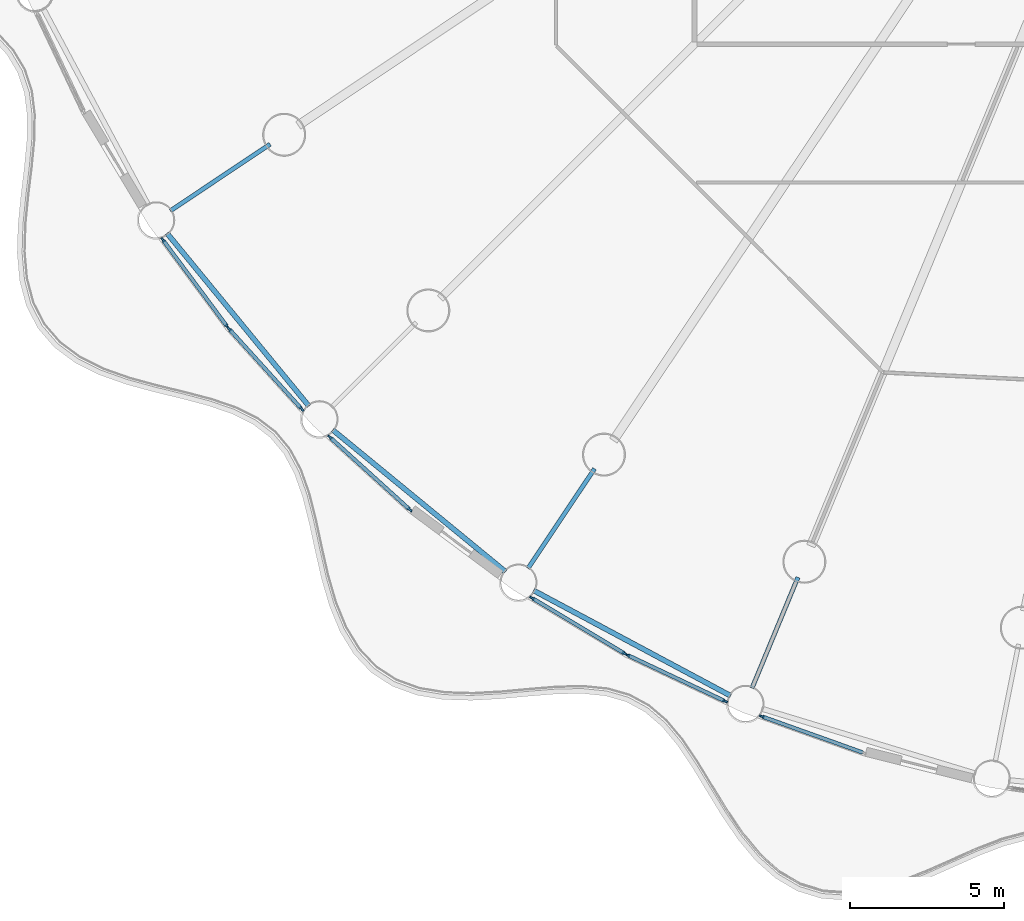
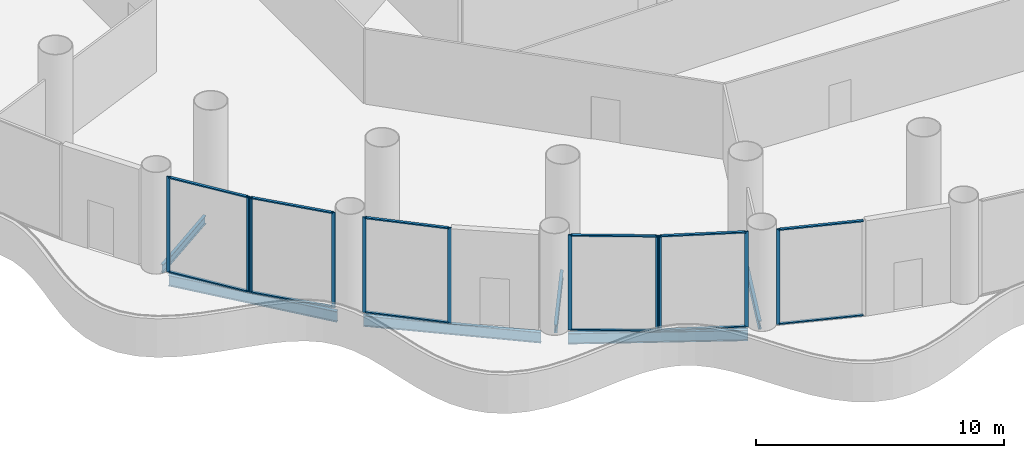
# One storey, part 2 of 35: 23 members, 6 beams, 6 elements without a shape of their own.
"""IFC4 building model written with IfcOpenShell, lengths in metres."""

from ifc_helpers import new_model, si_unit, direction, frame, origin, origin_2d, place, context, subcontext, project, spatial, rectangle, i_section, extrude, material, material_profile, profile_set, type_object, element, aggregate, save


model = new_model("IFC4")

# Units and contexts
model_context = context("Model", 3, precision=1e-05, world=origin(), true_north=direction((0.0, 1.0)))
body_context = subcontext(model_context, "Body", "Model", "MODEL_VIEW")
ifc_project = project(units=[si_unit("LENGTHUNIT", "METRE"), si_unit("AREAUNIT", "SQUARE_METRE"), si_unit("VOLUMEUNIT", "CUBIC_METRE"), si_unit("PLANEANGLEUNIT", "RADIAN"), si_unit("MASSUNIT", "GRAM", prefix="KILO")], contexts=[model_context])

# Site, building, storey
site_placement = place(None, origin())
site = spatial("IfcSite", under=ifc_project, at=site_placement, CompositionType="ELEMENT")
building_placement = place(site_placement, origin())
building = spatial("IfcBuilding", under=site, at=building_placement, Name="Corvane Civic Tower", CompositionType="ELEMENT")
storey_placement = place(building_placement, frame((0.0, 0.0, 27.0)))
storey = spatial("IfcBuildingStorey", under=building, at=storey_placement, Name="L05", CompositionType="ELEMENT", Elevation=27.0)

# Beams
ifc_material_1 = material(Name="Steel ASTM A992 Gr 50", Category="steel")
ifc_material_profile_1 = material_profile(ifc_material_1, i_section(OverallWidth=0.165771484375, OverallDepth=0.5283203125, WebThickness=0.009765625, FlangeThickness=0.013671875, at=origin_2d()), Name="W21X50")
ifc_profile_set_1 = profile_set([ifc_material_profile_1], Name="Steel ASTM A992 Gr 50")
beam_type_1 = type_object("IfcBeamType", Name="EDGE BEAM W21X50", PredefinedType="BEAM", material=ifc_profile_set_1)
for number, where, z_axis, x_axis, name in (
    (1, (-16.82568359375, -39.1904296875, -0.564208984375), (-0.881912894916, 0.471412394598, 0.0), (-0.471412394598, -0.881912894916, 0.0), "BM-L05-E19"),
    (2, (-24.14794921875, -35.15478515625, -0.564208984375), (-0.773007924807, 0.634396365205, 0.0), (-0.634396365205, -0.773007924807, 0.0), "BM-L05-E20"),
    (3, (-30.542236328125, -29.768310546875, -0.564208984375), (-0.634396365205, 0.773007924807, 0.0), (-0.773007924807, -0.634396365205, 0.0), "BM-L05-E21"),
):
    element("IfcBeam", number, at=place(storey_placement, frame(where, z_axis=z_axis, x_axis=x_axis)), inside=storey, type_object=beam_type_1, Name=name, PredefinedType="BEAM", context=body_context, shape_type="SweptSolid", body=[
        extrude(i_section(OverallWidth=0.165771484375, OverallDepth=0.5283203125, WebThickness=0.009765625, FlangeThickness=0.013671875, at=origin_2d()), origin(), (0.0, 0.0, 1.0), 7.270751953125),
    ])
ifc_material_2 = material(Name="Steel ASTM A992 Gr 50", Category="steel")
ifc_material_profile_2 = material_profile(ifc_material_2, i_section(OverallWidth=0.140380859375, OverallDepth=0.40380859375, WebThickness=0.007080078125, FlangeThickness=0.01123046875, at=origin_2d()), Name="W16X31")
ifc_profile_set_2 = profile_set([ifc_material_profile_2], Name="Steel ASTM A992 Gr 50")
beam_type_2 = type_object("IfcBeamType", Name="FLOOR GIRDER W16X31", PredefinedType="BEAM", material=ifc_profile_set_2)
for number, where, z_axis, x_axis, name in (
    (4, (-14.6376953125, -35.33837890625, -0.501953125), (-0.382685369162, -0.923878730261, 0.0), (0.923878730261, -0.382685369162, 0.0), "BM-L05-G19b"),
    (5, (-21.25048828125, -31.8037109375, -0.501953125), (-0.555581110199, -0.831462344301, 0.0), (0.831462344301, -0.555581110199, 0.0), "BM-L05-G20b"),
    (6, (-31.8037109375, -21.25048828125, -0.501953125), (-0.831462344301, -0.555581110199, 0.0), (0.555581110199, -0.831462344301, 0.0), "BM-L05-G22b"),
):
    element("IfcBeam", number, at=place(storey_placement, frame(where, z_axis=z_axis, x_axis=x_axis)), inside=storey, type_object=beam_type_2, Name=name, PredefinedType="BEAM", context=body_context, shape_type="SweptSolid", body=[
        extrude(i_section(OverallWidth=0.140380859375, OverallDepth=0.40380859375, WebThickness=0.007080078125, FlangeThickness=0.01123046875, at=origin_2d()), origin(), (0.0, 0.0, 1.0), 3.89990234375),
    ])

# Curtain wall, member
ifc_material_3 = material(Name="Aluminium and glass", Category="aluminium")
curtain_wall_type = type_object("IfcCurtainWallType", Name="PODIUM-CW-P-RUN", PredefinedType="NOTDEFINED", material=ifc_material_3)
curtain_wall_1_placement = place(storey_placement, origin())
curtain_wall_1 = element("IfcCurtainWall", 7, at=curtain_wall_1_placement, inside=storey, type_object=curtain_wall_type, Name="PODI run L05-drum-18B", PredefinedType="NOTDEFINED")
ifc_material_4 = material(Name="Anodised aluminium bronze", Category="aluminium")
ifc_material_profile_3 = material_profile(ifc_material_4, rectangle(XDim=0.06005859375, YDim=0.159912109375, at=origin_2d()), Name="AL 60x160")
ifc_profile_set_3 = profile_set([ifc_material_profile_3], Name="Anodised aluminium bronze")
member_type_1 = type_object("IfcMemberType", Name="PODIUM-CWP-MULLION-60x160", PredefinedType="MULLION", material=ifc_profile_set_3)
member_1_placement = place(storey_placement, frame((-15.81298828125, -39.861083984375, 0.0), z_axis=(0.0, 0.0, 1.0), x_axis=(-0.336918534123, -0.941533802561, 0.0)))
member_1 = element("IfcMember", 8, at=member_1_placement, type_object=member_type_1, Name="CW-P mullion 2", PredefinedType="MULLION", context=body_context, shape_type="SweptSolid", body=[
    extrude(rectangle(XDim=0.06005859375, YDim=0.159912109375, at=origin_2d()), origin(), (0.0, 0.0, 1.0), 4.699951171875),
])

# Curtain wall, members
curtain_wall_2_placement = place(storey_placement, origin())
curtain_wall_2 = element("IfcCurtainWall", 9, at=curtain_wall_2_placement, inside=storey, type_object=curtain_wall_type, Name="PODI run L05-drum-19A", PredefinedType="NOTDEFINED")
member_2_placement = place(storey_placement, frame((-17.00439453125, -39.36767578125, 0.0), z_axis=(0.0, 0.0, 1.0), x_axis=(-0.42755312852, -0.903990222454, 0.0)))
member_2 = element("IfcMember", 10, at=member_2_placement, type_object=member_type_1, Name="CW-P mullion 1", PredefinedType="MULLION", context=body_context, shape_type="SweptSolid", body=[
    extrude(rectangle(XDim=0.06005859375, YDim=0.159912109375, at=origin_2d()), origin(), (0.0, 0.0, 1.0), 4.699951171875),
])
member_3_placement = place(storey_placement, frame((-20.186279296875, -37.862548828125, 0.0), z_axis=(0.0, 0.0, 1.0), x_axis=(-0.42755312852, -0.903990222454, 0.0)))
member_3 = element("IfcMember", 11, at=member_3_placement, type_object=member_type_1, Name="CW-P mullion 2", PredefinedType="MULLION", context=body_context, shape_type="SweptSolid", body=[
    extrude(rectangle(XDim=0.06005859375, YDim=0.159912109375, at=origin_2d()), origin(), (0.0, 0.0, 1.0), 4.699951171875),
])

curtain_wall_3_placement = place(storey_placement, origin())
curtain_wall_3 = element("IfcCurtainWall", 12, at=curtain_wall_3_placement, inside=storey, type_object=curtain_wall_type, Name="PODI run L05-drum-19B", PredefinedType="NOTDEFINED")
member_4_placement = place(storey_placement, frame((-20.2666015625, -37.819580078125, 0.0), z_axis=(0.0, 0.0, 1.0), x_axis=(-0.514117759857, -0.857719609779, 0.0)))
member_4 = element("IfcMember", 13, at=member_4_placement, type_object=member_type_1, Name="CW-P mullion 1", PredefinedType="MULLION", context=body_context, shape_type="SweptSolid", body=[
    extrude(rectangle(XDim=0.06005859375, YDim=0.159912109375, at=origin_2d()), origin(), (0.0, 0.0, 1.0), 4.699951171875),
])
member_5_placement = place(storey_placement, frame((-23.28564453125, -36.010009765625, 0.0), z_axis=(0.0, 0.0, 1.0), x_axis=(-0.514117759857, -0.857719609779, 0.0)))
member_5 = element("IfcMember", 14, at=member_5_placement, type_object=member_type_1, Name="CW-P mullion 2", PredefinedType="MULLION", context=body_context, shape_type="SweptSolid", body=[
    extrude(rectangle(XDim=0.06005859375, YDim=0.159912109375, at=origin_2d()), origin(), (0.0, 0.0, 1.0), 4.699951171875),
])

curtain_wall_4_placement = place(storey_placement, origin())
curtain_wall_4 = element("IfcCurtainWall", 15, at=curtain_wall_4_placement, inside=storey, type_object=curtain_wall_type, Name="PODI run L05-drum-20B", PredefinedType="NOTDEFINED")
member_6_placement = place(storey_placement, frame((-27.25537109375, -33.13916015625, 0.0), z_axis=(0.0, 0.0, 1.0), x_axis=(-0.671576457952, -0.740935261089, 0.0)))
member_6 = element("IfcMember", 16, at=member_6_placement, type_object=member_type_1, Name="CW-P mullion 1", PredefinedType="MULLION", context=body_context, shape_type="SweptSolid", body=[
    extrude(rectangle(XDim=0.06005859375, YDim=0.159912109375, at=origin_2d()), origin(), (0.0, 0.0, 1.0), 4.699951171875),
])
member_7_placement = place(storey_placement, frame((-29.863525390625, -30.775390625, 0.0), z_axis=(0.0, 0.0, 1.0), x_axis=(-0.671576457952, -0.740935261089, 0.0)))
member_7 = element("IfcMember", 17, at=member_7_placement, type_object=member_type_1, Name="CW-P mullion 2", PredefinedType="MULLION", context=body_context, shape_type="SweptSolid", body=[
    extrude(rectangle(XDim=0.06005859375, YDim=0.159912109375, at=origin_2d()), origin(), (0.0, 0.0, 1.0), 4.699951171875),
])

curtain_wall_5_placement = place(storey_placement, origin())
curtain_wall_5 = element("IfcCurtainWall", 18, at=curtain_wall_5_placement, inside=storey, type_object=curtain_wall_type, Name="PODI run L05-drum-21A", PredefinedType="NOTDEFINED")
member_8_placement = place(storey_placement, frame((-30.775390625, -29.863525390625, 0.0), z_axis=(0.0, 0.0, 1.0), x_axis=(-0.740935261089, -0.671576457952, 0.0)))
member_8 = element("IfcMember", 19, at=member_8_placement, type_object=member_type_1, Name="CW-P mullion 1", PredefinedType="MULLION", context=body_context, shape_type="SweptSolid", body=[
    extrude(rectangle(XDim=0.06005859375, YDim=0.159912109375, at=origin_2d()), origin(), (0.0, 0.0, 1.0), 4.699951171875),
])
member_9_placement = place(storey_placement, frame((-33.13916015625, -27.25537109375, 0.0), z_axis=(0.0, 0.0, 1.0), x_axis=(-0.740935261089, -0.671576457952, 0.0)))
member_9 = element("IfcMember", 20, at=member_9_placement, type_object=member_type_1, Name="CW-P mullion 2", PredefinedType="MULLION", context=body_context, shape_type="SweptSolid", body=[
    extrude(rectangle(XDim=0.06005859375, YDim=0.159912109375, at=origin_2d()), origin(), (0.0, 0.0, 1.0), 4.699951171875),
])

curtain_wall_6_placement = place(storey_placement, origin())
curtain_wall_6 = element("IfcCurtainWall", 21, at=curtain_wall_6_placement, inside=storey, type_object=curtain_wall_type, Name="PODI run L05-drum-21B", PredefinedType="NOTDEFINED")
member_10_placement = place(storey_placement, frame((-33.197021484375, -27.18505859375, 0.0), z_axis=(0.0, 0.0, 1.0), x_axis=(-0.803203229747, -0.595705104665, 0.0)))
member_10 = element("IfcMember", 22, at=member_10_placement, type_object=member_type_1, Name="CW-P mullion 1", PredefinedType="MULLION", context=body_context, shape_type="SweptSolid", body=[
    extrude(rectangle(XDim=0.06005859375, YDim=0.159912109375, at=origin_2d()), origin(), (0.0, 0.0, 1.0), 4.699951171875),
])
member_11_placement = place(storey_placement, frame((-35.293701171875, -24.35791015625, 0.0), z_axis=(0.0, 0.0, 1.0), x_axis=(-0.803203229747, -0.595705104665, 0.0)))
member_11 = element("IfcMember", 23, at=member_11_placement, type_object=member_type_1, Name="CW-P mullion 2", PredefinedType="MULLION", context=body_context, shape_type="SweptSolid", body=[
    extrude(rectangle(XDim=0.06005859375, YDim=0.159912109375, at=origin_2d()), origin(), (0.0, 0.0, 1.0), 4.699951171875),
])

# Member
ifc_material_5 = material(Name="Anodised aluminium bronze", Category="aluminium")
ifc_material_profile_4 = material_profile(ifc_material_5, rectangle(XDim=0.1201171875, YDim=0.06005859375, at=origin_2d()), Name="AL 120x60")
ifc_profile_set_4 = profile_set([ifc_material_profile_4], Name="Anodised aluminium bronze")
member_type_2 = type_object("IfcMemberType", Name="PODIUM-CWP-TRANSOM-60x120", PredefinedType="USERDEFINED", material=ifc_profile_set_4)
member_12_placement = place(storey_placement, frame((-12.527099609375, -41.036865234375, 0.030029296875), z_axis=(-0.941526196838, 0.336939787896, 0.0), x_axis=(-0.336939787896, -0.941526196838, 0.0)))
member_12 = element("IfcMember", 24, at=member_12_placement, type_object=member_type_2, Name="CW-P transom 1.1", ObjectType="TRANSOM", PredefinedType="USERDEFINED", context=body_context, shape_type="SweptSolid", body=[
    extrude(rectangle(XDim=0.1201171875, YDim=0.06005859375, at=origin_2d()), origin(), (0.0, 0.0, 1.0), 3.4599609375),
])

member_13_placement = place(storey_placement, frame((-12.527099609375, -41.036865234375, 4.669921875), z_axis=(-0.941526196838, 0.336939787896, 0.0), x_axis=(-0.336939787896, -0.941526196838, 0.0)))
member_13 = element("IfcMember", 25, at=member_13_placement, type_object=member_type_2, Name="CW-P transom 1.2", ObjectType="TRANSOM", PredefinedType="USERDEFINED", context=body_context, shape_type="SweptSolid", body=[
    extrude(rectangle(XDim=0.1201171875, YDim=0.06005859375, at=origin_2d()), origin(), (0.0, 0.0, 1.0), 3.4599609375),
])

aggregate(curtain_wall_1, [member_1, member_12, member_13])

member_14_placement = place(storey_placement, frame((-17.031494140625, -39.354736328125, 0.030029296875), z_axis=(-0.903993431638, 0.427546343166, 0.0), x_axis=(-0.427546343166, -0.903993431638, 0.0)))
member_14 = element("IfcMember", 26, at=member_14_placement, type_object=member_type_2, Name="CW-P transom 1.1", ObjectType="TRANSOM", PredefinedType="USERDEFINED", context=body_context, shape_type="SweptSolid", body=[
    extrude(rectangle(XDim=0.1201171875, YDim=0.06005859375, at=origin_2d()), origin(), (0.0, 0.0, 1.0), 3.4599609375),
])

member_15_placement = place(storey_placement, frame((-17.031494140625, -39.354736328125, 4.669921875), z_axis=(-0.903993431638, 0.427546343166, 0.0), x_axis=(-0.427546343166, -0.903993431638, 0.0)))
member_15 = element("IfcMember", 27, at=member_15_placement, type_object=member_type_2, Name="CW-P transom 1.2", ObjectType="TRANSOM", PredefinedType="USERDEFINED", context=body_context, shape_type="SweptSolid", body=[
    extrude(rectangle(XDim=0.1201171875, YDim=0.06005859375, at=origin_2d()), origin(), (0.0, 0.0, 1.0), 3.4599609375),
])

aggregate(curtain_wall_2, [member_2, member_3, member_14, member_15])

member_16_placement = place(storey_placement, frame((-20.29248046875, -37.80419921875, 0.030029296875), z_axis=(-0.857723234181, 0.514111713099, 0.0), x_axis=(-0.514111713099, -0.857723234181, 0.0)))
member_16 = element("IfcMember", 28, at=member_16_placement, type_object=member_type_2, Name="CW-P transom 1.1", ObjectType="TRANSOM", PredefinedType="USERDEFINED", context=body_context, shape_type="SweptSolid", body=[
    extrude(rectangle(XDim=0.1201171875, YDim=0.06005859375, at=origin_2d()), origin(), (0.0, 0.0, 1.0), 3.45947265625),
])

member_17_placement = place(storey_placement, frame((-20.29248046875, -37.80419921875, 4.669921875), z_axis=(-0.857723234181, 0.514111713099, 0.0), x_axis=(-0.514111713099, -0.857723234181, 0.0)))
member_17 = element("IfcMember", 29, at=member_17_placement, type_object=member_type_2, Name="CW-P transom 1.2", ObjectType="TRANSOM", PredefinedType="USERDEFINED", context=body_context, shape_type="SweptSolid", body=[
    extrude(rectangle(XDim=0.1201171875, YDim=0.06005859375, at=origin_2d()), origin(), (0.0, 0.0, 1.0), 3.45947265625),
])

aggregate(curtain_wall_3, [member_4, member_5, member_16, member_17])

member_18_placement = place(storey_placement, frame((-27.277587890625, -33.119140625, 0.030029296875), z_axis=(-0.740935382865, 0.671576323599, 0.0), x_axis=(-0.671576323599, -0.740935382865, 0.0)))
member_18 = element("IfcMember", 30, at=member_18_placement, type_object=member_type_2, Name="CW-P transom 1.1", ObjectType="TRANSOM", PredefinedType="USERDEFINED", context=body_context, shape_type="SweptSolid", body=[
    extrude(rectangle(XDim=0.1201171875, YDim=0.06005859375, at=origin_2d()), origin(), (0.0, 0.0, 1.0), 3.460205078125),
])

member_19_placement = place(storey_placement, frame((-27.277587890625, -33.119140625, 4.669921875), z_axis=(-0.740935382865, 0.671576323599, 0.0), x_axis=(-0.671576323599, -0.740935382865, 0.0)))
member_19 = element("IfcMember", 31, at=member_19_placement, type_object=member_type_2, Name="CW-P transom 1.2", ObjectType="TRANSOM", PredefinedType="USERDEFINED", context=body_context, shape_type="SweptSolid", body=[
    extrude(rectangle(XDim=0.1201171875, YDim=0.06005859375, at=origin_2d()), origin(), (0.0, 0.0, 1.0), 3.460205078125),
])

aggregate(curtain_wall_4, [member_6, member_7, member_18, member_19])

member_20_placement = place(storey_placement, frame((-30.79541015625, -29.84130859375, 0.030029296875), z_axis=(-0.671576323599, 0.740935382865, 0.0), x_axis=(-0.740935382865, -0.671576323599, 0.0)))
member_20 = element("IfcMember", 32, at=member_20_placement, type_object=member_type_2, Name="CW-P transom 1.1", ObjectType="TRANSOM", PredefinedType="USERDEFINED", context=body_context, shape_type="SweptSolid", body=[
    extrude(rectangle(XDim=0.1201171875, YDim=0.06005859375, at=origin_2d()), origin(), (0.0, 0.0, 1.0), 3.460205078125),
])

member_21_placement = place(storey_placement, frame((-30.79541015625, -29.84130859375, 4.669921875), z_axis=(-0.671576323599, 0.740935382865, 0.0), x_axis=(-0.740935382865, -0.671576323599, 0.0)))
member_21 = element("IfcMember", 33, at=member_21_placement, type_object=member_type_2, Name="CW-P transom 1.2", ObjectType="TRANSOM", PredefinedType="USERDEFINED", context=body_context, shape_type="SweptSolid", body=[
    extrude(rectangle(XDim=0.1201171875, YDim=0.06005859375, at=origin_2d()), origin(), (0.0, 0.0, 1.0), 3.460205078125),
])

aggregate(curtain_wall_5, [member_8, member_9, member_20, member_21])

member_22_placement = place(storey_placement, frame((-33.21484375, -27.160888671875, 0.030029296875), z_axis=(-0.595723591285, 0.803189518598, 0.0), x_axis=(-0.803189518598, -0.595723591285, 0.0)))
member_22 = element("IfcMember", 34, at=member_22_placement, type_object=member_type_2, Name="CW-P transom 1.1", ObjectType="TRANSOM", PredefinedType="USERDEFINED", context=body_context, shape_type="SweptSolid", body=[
    extrude(rectangle(XDim=0.1201171875, YDim=0.06005859375, at=origin_2d()), origin(), (0.0, 0.0, 1.0), 3.459716796875),
])

member_23_placement = place(storey_placement, frame((-33.21484375, -27.160888671875, 4.669921875), z_axis=(-0.595723591285, 0.803189518598, 0.0), x_axis=(-0.803189518598, -0.595723591285, 0.0)))
member_23 = element("IfcMember", 35, at=member_23_placement, type_object=member_type_2, Name="CW-P transom 1.2", ObjectType="TRANSOM", PredefinedType="USERDEFINED", context=body_context, shape_type="SweptSolid", body=[
    extrude(rectangle(XDim=0.1201171875, YDim=0.06005859375, at=origin_2d()), origin(), (0.0, 0.0, 1.0), 3.459716796875),
])

aggregate(curtain_wall_6, [member_10, member_11, member_22, member_23])

save(model, "model.ifc")
